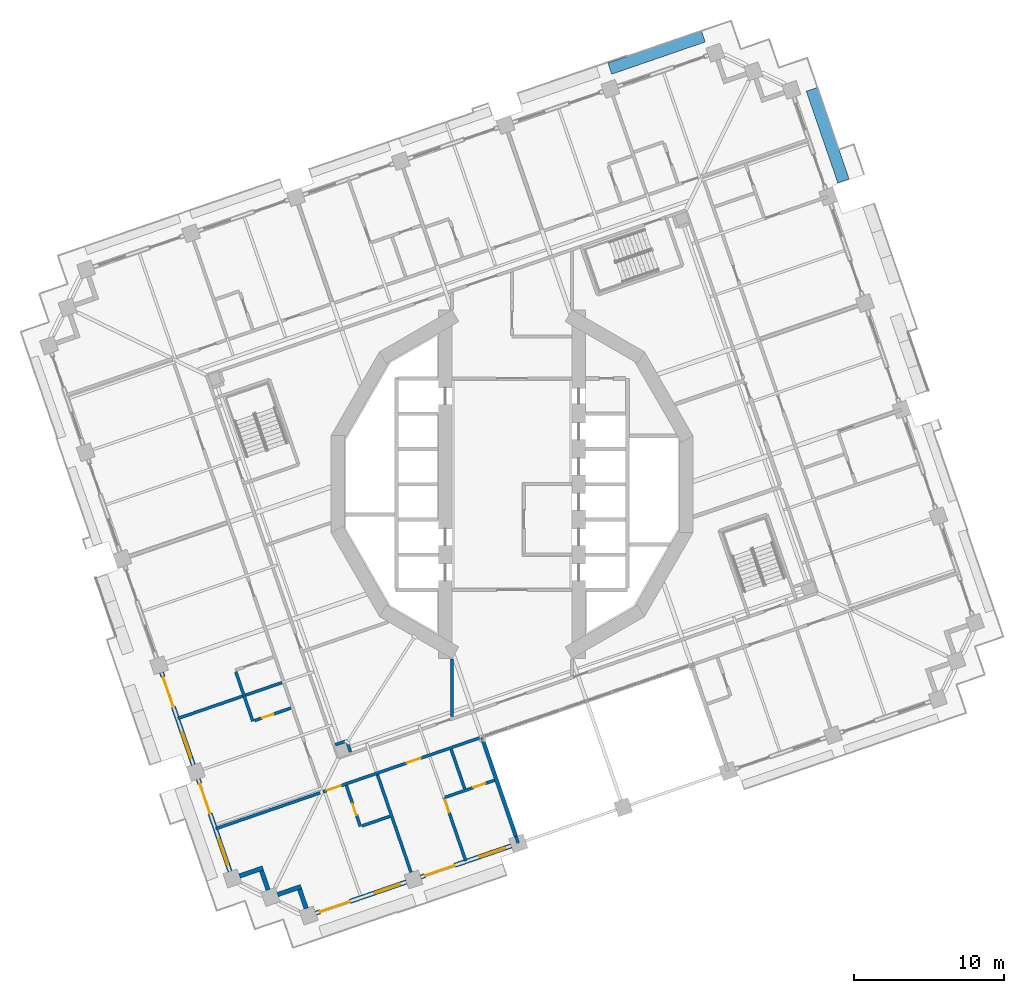
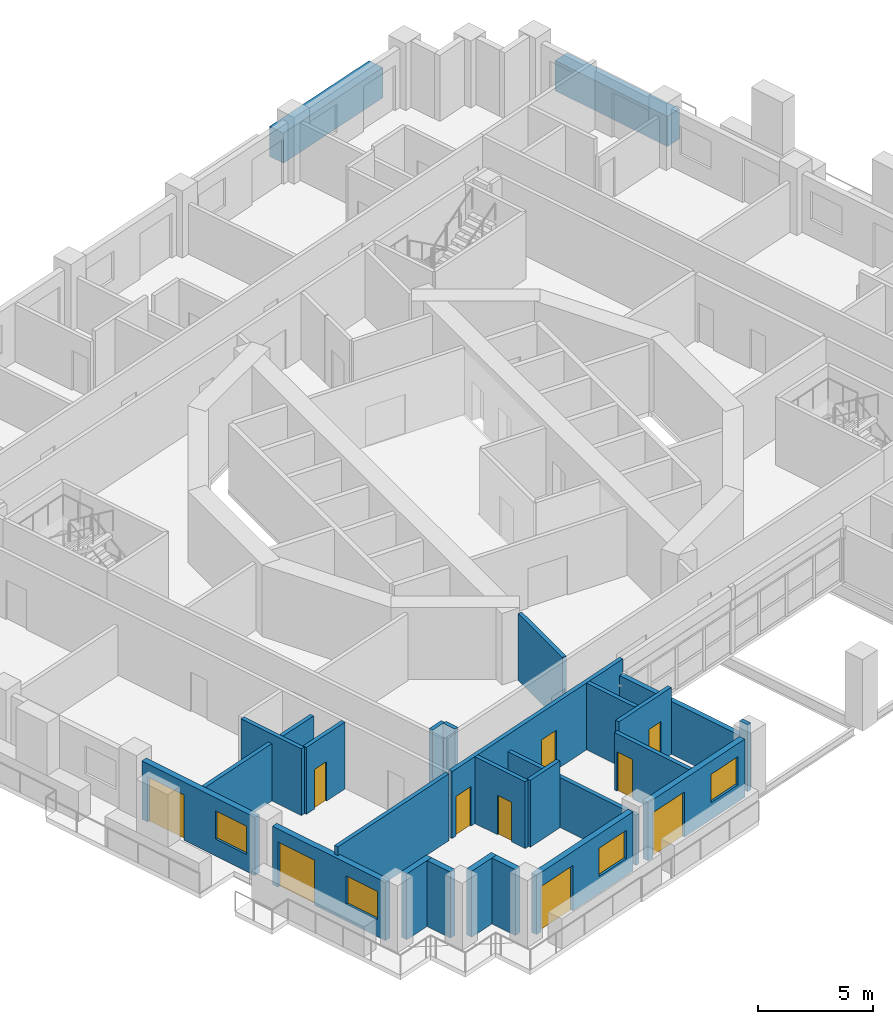
# One storey, part 8 of 22: 24 walls, 10 doors, 4 windows, 2 plates, 14 openings.
"""IFC4 building model written with IfcOpenShell, lengths in metres."""

from ifc_helpers import new_model, si_unit, direction, frame, frame_2d, origin, origin_2d, place, context, subcontext, project, spatial, rectangle, extrude, material, layer, layer_set, type_object, element, fill, save


model = new_model("IFC4")

# Units and contexts
model_context = context("Model", 3, precision=1e-05, world=origin(), true_north=direction((0.0, 1.0)))
body_context = subcontext(model_context, "Body", "Model", "MODEL_VIEW")
ifc_project = project(units=[si_unit("LENGTHUNIT", "METRE"), si_unit("AREAUNIT", "SQUARE_METRE"), si_unit("VOLUMEUNIT", "CUBIC_METRE"), si_unit("PLANEANGLEUNIT", "RADIAN"), si_unit("MASSUNIT", "GRAM", prefix="KILO")], contexts=[model_context])

# Site, building, storey
site_placement = place(None, origin())
site = spatial("IfcSite", under=ifc_project, at=site_placement, CompositionType="ELEMENT")
building_placement = place(site_placement, origin())
building = spatial("IfcBuilding", under=site, at=building_placement, Name="Cantera Rosa Tower", CompositionType="ELEMENT")
storey_placement = place(building_placement, frame((0.0, 0.0, 104.10009765625)))
storey = spatial("IfcBuildingStorey", under=building, at=storey_placement, Name="L20", CompositionType="ELEMENT", Elevation=104.10009765625)

# Plates
ifc_material_1 = material(Name="Cantera stone planter with soil", Category="masonry")
plate_type = type_object("IfcPlateType", Name="PLANTER 800", PredefinedType="USERDEFINED", material=ifc_material_1)
plate_1_placement = place(storey_placement, frame((21.064453125, 23.2919921875, -0.000244140625), z_axis=(0.0, 0.0, 1.0), x_axis=(-0.325568154457, 0.945518575599, 0.0)))
element("IfcPlate", 1, at=plate_1_placement, inside=storey, type_object=plate_type, Name="PLANTER L20-05", ObjectType="PLANTER", PredefinedType="USERDEFINED", context=body_context, shape_type="SweptSolid", body=[
    extrude(rectangle(XDim=6.469970703125, YDim=0.800048828125, at=origin_2d()), origin(), (0.0, 0.0, 1.0), 1.60009765625),
])
plate_2_placement = place(storey_placement, frame((9.64599609375, 28.81005859375, -0.000244140625), z_axis=(0.0, 0.0, 1.0), x_axis=(-0.945518575599, -0.325568154457, 0.0)))
element("IfcPlate", 2, at=plate_2_placement, inside=storey, type_object=plate_type, Name="PLANTER L20-06", ObjectType="PLANTER", PredefinedType="USERDEFINED", context=body_context, shape_type="SweptSolid", body=[
    extrude(rectangle(XDim=6.60009765625, YDim=0.800048828125, at=origin_2d()), origin(), (0.0, 0.0, 1.0), 1.60009765625),
])

# Wall, openings, doors
ifc_material_2 = material(Name="Gypsum board partition")
ifc_layer_1 = layer(ifc_material_2, 0.199951171875)
ifc_layer_set_1 = layer_set([ifc_layer_1], Name="CORRIDOR WALL 200 H3550")
wall_type_1 = type_object("IfcWallType", Name="CORRIDOR WALL 200 H3550", PredefinedType="PARTITIONING", material=ifc_layer_set_1)
wall_1_placement = place(storey_placement, frame((-12.60546875, -20.52197265625, 0.0), z_axis=(0.0, 0.0, 1.0), x_axis=(0.945519963328, 0.325564124172, 0.0)))
wall_1 = element("IfcWall", 3, at=wall_1_placement, inside=storey, type_object=wall_type_1, Name="CORRIDOR WALL L20-020", PredefinedType="PARTITIONING", context=body_context, shape_type="SweptSolid", body=[
    extrude(rectangle(XDim=11.324951171875, YDim=0.199951171875, at=frame_2d((5.66259765625, 0.0))), origin(), (0.0, 0.0, 1.0), 3.5498046875),
])
opening_1_placement = place(wall_1_placement, frame((5.89990234375, 0.0, 0.0)))
opening_1 = element("IfcOpeningElement", 4, at=opening_1_placement, cuts=wall_1, Name="Opening L20-041", PredefinedType="OPENING", context=body_context, shape_type="SweptSolid", body=[
    extrude(rectangle(XDim=1.0, YDim=2.10009765625, at=frame_2d((0.5, 1.050048828125))), frame((0.0, 0.10986328125, 0.0), z_axis=(0.0, -1.0, 0.0), x_axis=(1.0, 0.0, 0.0)), (0.0, 0.0, 1.0), 0.219970703125),
])
opening_2_placement = place(wall_1_placement, frame((0.25, 0.0, 0.0)))
opening_2 = element("IfcOpeningElement", 5, at=opening_2_placement, cuts=wall_1, Name="Opening L20-046", PredefinedType="OPENING", context=body_context, shape_type="SweptSolid", body=[
    extrude(rectangle(XDim=1.0, YDim=2.10009765625, at=frame_2d((0.5, 1.050048828125))), frame((0.0, 0.10986328125, 0.0), z_axis=(0.0, -1.0, 0.0), x_axis=(1.0, 0.0, 0.0)), (0.0, 0.0, 1.0), 0.219970703125),
])
ifc_material_3 = material(Name="Timber door leaf", Category="wood")
door_type_1 = type_object("IfcDoorType", Name="ENTRANCE DOOR 1000x2100", OperationType="NOTDEFINED", PredefinedType="DOOR", material=ifc_material_3)
door_1_placement = place(opening_1_placement, origin())
door_1 = element("IfcDoor", 6, at=door_1_placement, inside=storey, type_object=door_type_1, Name="DOOR L20-041", OperationType="NOTDEFINED", OverallHeight=2.10009765625, OverallWidth=1.0, PredefinedType="DOOR", context=body_context, shape_type="SweptSolid", body=[
    extrude(rectangle(XDim=1.0, YDim=2.10009765625, at=frame_2d((0.5, 1.050048828125))), frame((0.0, 0.02490234375, 0.0), z_axis=(0.0, -1.0, 0.0), x_axis=(1.0, 0.0, 0.0)), (0.0, 0.0, 1.0), 0.050048828125),
])
fill(opening_1, door_1)
door_2_placement = place(opening_2_placement, origin())
door_2 = element("IfcDoor", 7, at=door_2_placement, inside=storey, type_object=door_type_1, Name="DOOR L20-046", OperationType="NOTDEFINED", OverallHeight=2.10009765625, OverallWidth=1.0, PredefinedType="DOOR", context=body_context, shape_type="SweptSolid", body=[
    extrude(rectangle(XDim=1.0, YDim=2.10009765625, at=frame_2d((0.5, 1.050048828125))), frame((0.0, 0.02490234375, 0.0), z_axis=(0.0, -1.0, 0.0), x_axis=(1.0, 0.0, 0.0)), (0.0, 0.0, 1.0), 0.050048828125),
])
fill(opening_2, door_2)

# Walls
wall_2_placement = place(storey_placement, frame((-4.0, -11.667236328125, 0.0), z_axis=(0.0, 0.0, 1.0), x_axis=(0.0, -1.0, 0.0)))
element("IfcWall", 8, at=wall_2_placement, inside=storey, type_object=wall_type_1, Name="CORRIDOR WALL L20-048", PredefinedType="PARTITIONING", context=body_context, shape_type="SweptSolid", body=[
    extrude(rectangle(XDim=3.847900390625, YDim=0.199951171875, at=frame_2d((1.923828125, 0.0))), origin(), (0.0, 0.0, 1.0), 3.5498046875),
])
ifc_material_4 = material(Name="Hollow clay masonry with cantera stone cladding", Category="masonry")
ifc_layer_2 = layer(ifc_material_4, 0.300048828125)
ifc_layer_set_2 = layer_set([ifc_layer_2], Name="EW-LOGGIA 300")
wall_type_2 = type_object("IfcWallType", Name="EW-LOGGIA 300", PredefinedType="SOLIDWALL", material=ifc_layer_set_2)
wall_3_placement = place(storey_placement, frame((-18.17919921875, -26.142822265625, 0.0), z_axis=(0.0, 0.0, 1.0), x_axis=(0.945530119553, 0.32553462645, 0.0)))
element("IfcWall", 9, at=wall_3_placement, inside=storey, type_object=wall_type_2, Name="EN-L20-W21a", PredefinedType="SOLIDWALL", context=body_context, shape_type="SweptSolid", body=[
    extrude(rectangle(XDim=1.64990234375, YDim=0.300048828125, at=frame_2d((0.824951171875, 0.0))), origin(), (0.0, 0.0, 1.0), 3.5),
])
wall_4_placement = place(storey_placement, frame((-16.7119140625, -25.79638671875, 0.0), z_axis=(0.0, 0.0, 1.0), x_axis=(0.325544748006, -0.945526634763, 0.0)))
element("IfcWall", 10, at=wall_4_placement, inside=storey, type_object=wall_type_2, Name="EN-L20-W21b", PredefinedType="SOLIDWALL", context=body_context, shape_type="SweptSolid", body=[
    extrude(rectangle(XDim=1.349853515625, YDim=0.300048828125, at=frame_2d((0.6748046875, 0.0))), origin(), (0.0, 0.0, 1.0), 3.5),
])
wall_5_placement = place(storey_placement, frame((-15.636962890625, -27.3828125, 0.0), z_axis=(0.0, 0.0, 1.0), x_axis=(0.945484566827, 0.325666906351, 0.0)))
element("IfcWall", 11, at=wall_5_placement, inside=storey, type_object=wall_type_2, Name="EN-L20-W22a", PredefinedType="SOLIDWALL", context=body_context, shape_type="SweptSolid", body=[
    extrude(rectangle(XDim=1.64990234375, YDim=0.300048828125, at=frame_2d((0.824951171875, 0.0))), origin(), (0.0, 0.0, 1.0), 3.5),
])
wall_6_placement = place(storey_placement, frame((-14.169921875, -27.0361328125, 0.0), z_axis=(0.0, 0.0, 1.0), x_axis=(0.325650742363, -0.945490134268, 0.0)))
element("IfcWall", 12, at=wall_6_placement, inside=storey, type_object=wall_type_2, Name="EN-L20-W22b", PredefinedType="SOLIDWALL", context=body_context, shape_type="SweptSolid", body=[
    extrude(rectangle(XDim=1.35009765625, YDim=0.300048828125, at=frame_2d((0.675048828125, 0.0))), origin(), (0.0, 0.0, 1.0), 3.5),
])

# Wall, openings, window, door
ifc_material_5 = material(Name="Hollow clay masonry with cantera stone cladding", Category="masonry")
ifc_layer_3 = layer(ifc_material_5, 0.300048828125)
ifc_layer_set_3 = layer_set([ifc_layer_3], Name="EW-LOGGIA 300 H3090")
wall_type_3 = type_object("IfcWallType", Name="EW-LOGGIA 300 H3090", PredefinedType="SOLIDWALL", material=ifc_layer_set_3)
wall_7_placement = place(storey_placement, frame((-23.3857421875, -12.557861328125, 0.0), z_axis=(0.0, 0.0, 1.0), x_axis=(0.325580990241, -0.945514155787, 0.0)))
wall_7 = element("IfcWall", 13, at=wall_7_placement, inside=storey, type_object=wall_type_3, Name="EN-L20-W19", PredefinedType="SOLIDWALL", context=body_context, shape_type="SweptSolid", body=[
    extrude(rectangle(XDim=6.52001953125, YDim=0.300048828125, at=frame_2d((3.260009765625, 0.0))), origin(), (0.0, 0.0, 1.0), 3.08984375),
])
opening_3_placement = place(wall_7_placement, frame((0.330078125, 0.0, 0.0)))
opening_3 = element("IfcOpeningElement", 14, at=opening_3_placement, cuts=wall_7, Name="Opening L20-TD29", PredefinedType="OPENING", context=body_context, shape_type="SweptSolid", body=[
    extrude(rectangle(XDim=2.10009765625, YDim=2.39990234375, at=frame_2d((1.050048828125, 1.199951171875))), frame((0.0, 0.159912109375, 0.0), z_axis=(0.0, -1.0, 0.0), x_axis=(1.0, 0.0, 0.0)), (0.0, 0.0, 1.0), 0.320068359375),
])
opening_4_placement = place(wall_7_placement, frame((4.239990234375, 0.0, 0.89990234375)))
opening_4 = element("IfcOpeningElement", 15, at=opening_4_placement, cuts=wall_7, Name="Opening L20-W30", PredefinedType="OPENING", context=body_context, shape_type="SweptSolid", body=[
    extrude(rectangle(XDim=1.800048828125, YDim=1.5, at=frame_2d((0.89990234375, 0.75))), frame((0.0, 0.159912109375, 0.0), z_axis=(0.0, -1.0, 0.0), x_axis=(1.0, 0.0, 0.0)), (0.0, 0.0, 1.0), 0.320068359375),
])
ifc_material_6 = material(Name="Aluminium frame with clear glass", Category="aluminium")
window_type = type_object("IfcWindowType", Name="Hotel room window 1800x1500", PartitioningType="DOUBLE_PANEL_VERTICAL", PredefinedType="WINDOW", material=ifc_material_6)
window_1_placement = place(opening_4_placement, origin())
window_1 = element("IfcWindow", 16, at=window_1_placement, inside=storey, type_object=window_type, Name="WINDOW L20-W30", OverallHeight=1.5, OverallWidth=1.800048828125, PartitioningType="SINGLE_PANEL", PredefinedType="WINDOW", context=body_context, shape_type="SweptSolid", body=[
    extrude(rectangle(XDim=1.800048828125, YDim=1.5, at=frame_2d((0.89990234375, 0.75))), frame((0.0, 0.030029296875, 0.0), z_axis=(0.0, -1.0, 0.0), x_axis=(1.0, 0.0, 0.0)), (0.0, 0.0, 1.0), 0.06005859375),
])
fill(opening_4, window_1)
ifc_material_7 = material(Name="Aluminium frame with clear glass", Category="aluminium")
door_type_2 = type_object("IfcDoorType", Name="TD-H 2100x2400", OperationType="NOTDEFINED", PredefinedType="DOOR", material=ifc_material_7)
door_3_placement = place(opening_3_placement, origin())
door_3 = element("IfcDoor", 17, at=door_3_placement, inside=storey, type_object=door_type_2, Name="LOGGIA DOOR L20-TD29", OperationType="SLIDING_TO_LEFT", OverallHeight=2.39990234375, OverallWidth=2.10009765625, PredefinedType="DOOR", context=body_context, shape_type="SweptSolid", body=[
    extrude(rectangle(XDim=2.10009765625, YDim=2.39990234375, at=frame_2d((1.050048828125, 1.199951171875))), frame((0.0, 0.02490234375, 0.0), z_axis=(0.0, -1.0, 0.0), x_axis=(1.0, 0.0, 0.0)), (0.0, 0.0, 1.0), 0.050048828125),
])
fill(opening_3, door_3)

wall_8_placement = place(storey_placement, frame((-20.9375, -19.668212890625, 0.0), z_axis=(0.0, 0.0, 1.0), x_axis=(0.325592517631, -0.945510186335, 0.0)))
wall_8 = element("IfcWall", 18, at=wall_8_placement, inside=storey, type_object=wall_type_3, Name="EN-L20-W20", PredefinedType="SOLIDWALL", context=body_context, shape_type="SweptSolid", body=[
    extrude(rectangle(XDim=6.519775390625, YDim=0.300048828125, at=frame_2d((3.259765625, 0.0))), origin(), (0.0, 0.0, 1.0), 3.08984375),
])
opening_5_placement = place(wall_8_placement, frame((0.330078125, 0.0, 0.0)))
opening_5 = element("IfcOpeningElement", 19, at=opening_5_placement, cuts=wall_8, Name="Opening L20-TD31", PredefinedType="OPENING", context=body_context, shape_type="SweptSolid", body=[
    extrude(rectangle(XDim=2.10009765625, YDim=2.39990234375, at=frame_2d((1.050048828125, 1.199951171875))), frame((0.0, 0.159912109375, 0.0), z_axis=(0.0, -1.0, 0.0), x_axis=(1.0, 0.0, 0.0)), (0.0, 0.0, 1.0), 0.320068359375),
])
opening_6_placement = place(wall_8_placement, frame((4.239990234375, 0.0, 0.89990234375)))
opening_6 = element("IfcOpeningElement", 20, at=opening_6_placement, cuts=wall_8, Name="Opening L20-W32", PredefinedType="OPENING", context=body_context, shape_type="SweptSolid", body=[
    extrude(rectangle(XDim=1.800048828125, YDim=1.5, at=frame_2d((0.89990234375, 0.75))), frame((0.0, 0.159912109375, 0.0), z_axis=(0.0, -1.0, 0.0), x_axis=(1.0, 0.0, 0.0)), (0.0, 0.0, 1.0), 0.320068359375),
])
window_2_placement = place(opening_6_placement, origin())
window_2 = element("IfcWindow", 21, at=window_2_placement, inside=storey, type_object=window_type, Name="WINDOW L20-W32", OverallHeight=1.5, OverallWidth=1.800048828125, PartitioningType="SINGLE_PANEL", PredefinedType="WINDOW", context=body_context, shape_type="SweptSolid", body=[
    extrude(rectangle(XDim=1.800048828125, YDim=1.5, at=frame_2d((0.89990234375, 0.75))), frame((0.0, 0.030029296875, 0.0), z_axis=(0.0, -1.0, 0.0), x_axis=(1.0, 0.0, 0.0)), (0.0, 0.0, 1.0), 0.06005859375),
])
fill(opening_6, window_2)
door_4_placement = place(opening_5_placement, origin())
door_4 = element("IfcDoor", 22, at=door_4_placement, inside=storey, type_object=door_type_2, Name="LOGGIA DOOR L20-TD31", OperationType="SLIDING_TO_LEFT", OverallHeight=2.39990234375, OverallWidth=2.10009765625, PredefinedType="DOOR", context=body_context, shape_type="SweptSolid", body=[
    extrude(rectangle(XDim=2.10009765625, YDim=2.39990234375, at=frame_2d((1.050048828125, 1.199951171875))), frame((0.0, 0.02490234375, 0.0), z_axis=(0.0, -1.0, 0.0), x_axis=(1.0, 0.0, 0.0)), (0.0, 0.0, 1.0), 0.050048828125),
])
fill(opening_5, door_4)

wall_9_placement = place(storey_placement, frame((-6.097900390625, -26.21337890625, 0.0), z_axis=(0.0, 0.0, 1.0), x_axis=(0.945524496524, 0.325550958337, 0.0)))
wall_9 = element("IfcWall", 23, at=wall_9_placement, inside=storey, type_object=wall_type_3, Name="EN-L20-W24", PredefinedType="SOLIDWALL", context=body_context, shape_type="SweptSolid", body=[
    extrude(rectangle(XDim=6.39990234375, YDim=0.300048828125, at=frame_2d((3.199951171875, 0.0))), origin(), (0.0, 0.0, 1.0), 3.08984375),
])
opening_7_placement = place(wall_9_placement, frame((0.300048828125, 0.0, 0.0)))
opening_7 = element("IfcOpeningElement", 24, at=opening_7_placement, cuts=wall_9, Name="Opening L20-TD35", PredefinedType="OPENING", context=body_context, shape_type="SweptSolid", body=[
    extrude(rectangle(XDim=2.10009765625, YDim=2.39990234375, at=frame_2d((1.050048828125, 1.199951171875))), frame((0.0, 0.159912109375, 0.0), z_axis=(0.0, -1.0, 0.0), x_axis=(1.0, 0.0, 0.0)), (0.0, 0.0, 1.0), 0.320068359375),
])
opening_8_placement = place(wall_9_placement, frame((4.14990234375, 0.0, 0.89990234375)))
opening_8 = element("IfcOpeningElement", 25, at=opening_8_placement, cuts=wall_9, Name="Opening L20-W36", PredefinedType="OPENING", context=body_context, shape_type="SweptSolid", body=[
    extrude(rectangle(XDim=1.800048828125, YDim=1.5, at=frame_2d((0.89990234375, 0.75))), frame((0.0, 0.159912109375, 0.0), z_axis=(0.0, -1.0, 0.0), x_axis=(1.0, 0.0, 0.0)), (0.0, 0.0, 1.0), 0.320068359375),
])
window_3_placement = place(opening_8_placement, origin())
window_3 = element("IfcWindow", 26, at=window_3_placement, inside=storey, type_object=window_type, Name="WINDOW L20-W36", OverallHeight=1.5, OverallWidth=1.800048828125, PartitioningType="SINGLE_PANEL", PredefinedType="WINDOW", context=body_context, shape_type="SweptSolid", body=[
    extrude(rectangle(XDim=1.800048828125, YDim=1.5, at=frame_2d((0.89990234375, 0.75))), frame((0.0, 0.030029296875, 0.0), z_axis=(0.0, -1.0, 0.0), x_axis=(1.0, 0.0, 0.0)), (0.0, 0.0, 1.0), 0.06005859375),
])
fill(opening_8, window_3)
door_5_placement = place(opening_7_placement, origin())
door_5 = element("IfcDoor", 27, at=door_5_placement, inside=storey, type_object=door_type_2, Name="LOGGIA DOOR L20-TD35", OperationType="SLIDING_TO_LEFT", OverallHeight=2.39990234375, OverallWidth=2.10009765625, PredefinedType="DOOR", context=body_context, shape_type="SweptSolid", body=[
    extrude(rectangle(XDim=2.10009765625, YDim=2.39990234375, at=frame_2d((1.050048828125, 1.199951171875))), frame((0.0, 0.02490234375, 0.0), z_axis=(0.0, -1.0, 0.0), x_axis=(1.0, 0.0, 0.0)), (0.0, 0.0, 1.0), 0.050048828125),
])
fill(opening_7, door_5)

ifc_material_8 = material(Name="Hollow clay masonry with cantera stone cladding", Category="masonry")
ifc_layer_4 = layer(ifc_material_8, 0.300048828125)
ifc_layer_set_4 = layer_set([ifc_layer_4], Name="EW-LOGGIA 300 H3140")
wall_type_4 = type_object("IfcWallType", Name="EW-LOGGIA 300 H3140", PredefinedType="SOLIDWALL", material=ifc_layer_set_4)
wall_10_placement = place(storey_placement, frame((-13.0947265625, -28.62255859375, 0.0), z_axis=(0.0, 0.0, 1.0), x_axis=(0.945524496524, 0.325550958337, 0.0)))
wall_10 = element("IfcWall", 28, at=wall_10_placement, inside=storey, type_object=wall_type_4, Name="EN-L20-W23", PredefinedType="SOLIDWALL", context=body_context, shape_type="SweptSolid", body=[
    extrude(rectangle(XDim=6.39990234375, YDim=0.300048828125, at=frame_2d((3.199951171875, 0.0))), origin(), (0.0, 0.0, 1.0), 3.139892578125),
])
opening_9_placement = place(wall_10_placement, frame((0.300048828125, 0.0, 0.0)))
opening_9 = element("IfcOpeningElement", 29, at=opening_9_placement, cuts=wall_10, Name="Opening L20-TD33", PredefinedType="OPENING", context=body_context, shape_type="SweptSolid", body=[
    extrude(rectangle(XDim=2.10009765625, YDim=2.39990234375, at=frame_2d((1.050048828125, 1.199951171875))), frame((0.0, 0.159912109375, 0.0), z_axis=(0.0, -1.0, 0.0), x_axis=(1.0, 0.0, 0.0)), (0.0, 0.0, 1.0), 0.320068359375),
])
opening_10_placement = place(wall_10_placement, frame((4.14990234375, 0.0, 0.89990234375)))
opening_10 = element("IfcOpeningElement", 30, at=opening_10_placement, cuts=wall_10, Name="Opening L20-W34", PredefinedType="OPENING", context=body_context, shape_type="SweptSolid", body=[
    extrude(rectangle(XDim=1.800048828125, YDim=1.5, at=frame_2d((0.89990234375, 0.75))), frame((0.0, 0.159912109375, 0.0), z_axis=(0.0, -1.0, 0.0), x_axis=(1.0, 0.0, 0.0)), (0.0, 0.0, 1.0), 0.320068359375),
])
window_4_placement = place(opening_10_placement, origin())
window_4 = element("IfcWindow", 31, at=window_4_placement, inside=storey, type_object=window_type, Name="WINDOW L20-W34", OverallHeight=1.5, OverallWidth=1.800048828125, PartitioningType="SINGLE_PANEL", PredefinedType="WINDOW", context=body_context, shape_type="SweptSolid", body=[
    extrude(rectangle(XDim=1.800048828125, YDim=1.5, at=frame_2d((0.89990234375, 0.75))), frame((0.0, 0.030029296875, 0.0), z_axis=(0.0, -1.0, 0.0), x_axis=(1.0, 0.0, 0.0)), (0.0, 0.0, 1.0), 0.06005859375),
])
fill(opening_10, window_4)
door_6_placement = place(opening_9_placement, origin())
door_6 = element("IfcDoor", 32, at=door_6_placement, inside=storey, type_object=door_type_2, Name="LOGGIA DOOR L20-TD33", OperationType="SLIDING_TO_LEFT", OverallHeight=2.39990234375, OverallWidth=2.10009765625, PredefinedType="DOOR", context=body_context, shape_type="SweptSolid", body=[
    extrude(rectangle(XDim=2.10009765625, YDim=2.39990234375, at=frame_2d((1.050048828125, 1.199951171875))), frame((0.0, 0.02490234375, 0.0), z_axis=(0.0, -1.0, 0.0), x_axis=(1.0, 0.0, 0.0)), (0.0, 0.0, 1.0), 0.050048828125),
])
fill(opening_9, door_6)

# Wall
ifc_material_9 = material(Name="Concrete C40/50", Category="concrete")
ifc_layer_5 = layer(ifc_material_9, 0.25)
ifc_layer_set_5 = layer_set([ifc_layer_5], Name="EW-POCKET CHEEK 250 H2795")
wall_type_5 = type_object("IfcWallType", Name="EW-POCKET CHEEK 250 H2795", PredefinedType="SOLIDWALL", material=ifc_layer_set_5)
wall_11_placement = place(storey_placement, frame((0.263427734375, -23.494384765625, 0.0), z_axis=(0.0, 0.0, 1.0), x_axis=(-0.325585020105, 0.945512768123, 0.0)))
element("IfcWall", 33, at=wall_11_placement, inside=storey, type_object=wall_type_5, Name="POCKET CHEEK A L20", PredefinedType="SOLIDWALL", context=body_context, shape_type="SweptSolid", body=[
    extrude(rectangle(XDim=6.900146484375, YDim=0.25, at=frame_2d((3.4501953125, 0.0))), origin(), (0.0, 0.0, 1.0), 2.794921875),
])

# Wall, opening, door
ifc_material_10 = material(Name="Gypsum board partition")
ifc_layer_6 = layer(ifc_material_10, 0.199951171875)
ifc_layer_set_6 = layer_set([ifc_layer_6], Name="PARTITION 200 H3050")
wall_type_6 = type_object("IfcWallType", Name="PARTITION 200 H3050", PredefinedType="PARTITIONING", material=ifc_layer_set_6)
wall_12_placement = place(storey_placement, frame((-3.08203125, -25.143310546875, 0.0), z_axis=(0.0, 0.0, 1.0), x_axis=(-0.325568171973, 0.945518569568, 0.0)))
wall_12 = element("IfcWall", 34, at=wall_12_placement, inside=storey, type_object=wall_type_6, Name="PARTITION L20-052", PredefinedType="PARTITIONING", context=body_context, shape_type="SweptSolid", body=[
    extrude(rectangle(XDim=4.47021484375, YDim=0.199951171875, at=frame_2d((2.235107421875, 0.0))), origin(), (0.0, 0.0, 1.0), 3.0498046875),
])
opening_11_placement = place(wall_12_placement, frame((3.419921875, 0.0, 0.0)))
opening_11 = element("IfcOpeningElement", 35, at=opening_11_placement, cuts=wall_12, Name="Opening L20-042", PredefinedType="OPENING", context=body_context, shape_type="SweptSolid", body=[
    extrude(rectangle(XDim=0.89990234375, YDim=2.10009765625, at=frame_2d((0.449951171875, 1.050048828125))), frame((0.0, 0.10986328125, 0.0), z_axis=(0.0, -1.0, 0.0), x_axis=(1.0, 0.0, 0.0)), (0.0, 0.0, 1.0), 0.219970703125),
])
ifc_material_11 = material(Name="Timber door leaf", Category="wood")
door_type_3 = type_object("IfcDoorType", Name="ROOM DOOR 900x2100", OperationType="NOTDEFINED", PredefinedType="DOOR", material=ifc_material_11)
door_7_placement = place(opening_11_placement, origin())
door_7 = element("IfcDoor", 36, at=door_7_placement, inside=storey, type_object=door_type_3, Name="DOOR L20-042", OperationType="NOTDEFINED", OverallHeight=2.10009765625, OverallWidth=0.89990234375, PredefinedType="DOOR", context=body_context, shape_type="SweptSolid", body=[
    extrude(rectangle(XDim=0.89990234375, YDim=2.10009765625, at=frame_2d((0.449951171875, 1.050048828125))), frame((0.0, 0.02490234375, 0.0), z_axis=(0.0, -1.0, 0.0), x_axis=(1.0, 0.0, 0.0)), (0.0, 0.0, 1.0), 0.050048828125),
])
fill(opening_11, door_7)

# Wall
ifc_material_12 = material(Name="Gypsum board partition")
ifc_layer_7 = layer(ifc_material_12, 0.199951171875)
ifc_layer_set_7 = layer_set([ifc_layer_7], Name="PARTITION 200 H3550")
wall_type_7 = type_object("IfcWallType", Name="PARTITION 200 H3550", PredefinedType="PARTITIONING", material=ifc_layer_set_7)
wall_13_placement = place(storey_placement, frame((-17.29443359375, -15.81201171875, 0.0), z_axis=(0.0, 0.0, 1.0), x_axis=(-0.325514995811, 0.945536877918, 0.0)))
element("IfcWall", 37, at=wall_13_placement, inside=storey, type_object=wall_type_7, Name="PARTITION L20-015", PredefinedType="PARTITIONING", context=body_context, shape_type="SweptSolid", body=[
    extrude(rectangle(XDim=3.47998046875, YDim=0.199951171875, at=frame_2d((1.739990234375, 0.0))), origin(), (0.0, 0.0, 1.0), 3.5498046875),
])

# Wall, opening, door
wall_14_placement = place(storey_placement, frame((-14.760498046875, -14.939453125, 0.0), z_axis=(0.0, 0.0, 1.0), x_axis=(-0.9455087096, -0.325596805989, 0.0)))
wall_14 = element("IfcWall", 38, at=wall_14_placement, inside=storey, type_object=wall_type_7, Name="PARTITION L20-018", PredefinedType="PARTITIONING", context=body_context, shape_type="SweptSolid", body=[
    extrude(rectangle(XDim=2.559814453125, YDim=0.199951171875, at=frame_2d((1.27978515625, 0.0))), origin(), (0.0, 0.0, 1.0), 3.5498046875),
])
opening_12_placement = place(wall_14_placement, frame((1.216064453125, 0.0, 0.0)))
opening_12 = element("IfcOpeningElement", 39, at=opening_12_placement, cuts=wall_14, Name="Opening L20-040", PredefinedType="OPENING", context=body_context, shape_type="SweptSolid", body=[
    extrude(rectangle(XDim=0.800048828125, YDim=2.10009765625, at=frame_2d((0.39990234375, 1.050048828125))), frame((0.0, 0.10986328125, 0.0), z_axis=(0.0, -1.0, 0.0), x_axis=(1.0, 0.0, 0.0)), (0.0, 0.0, 1.0), 0.219970703125),
])
ifc_material_13 = material(Name="Timber door leaf", Category="wood")
door_type_4 = type_object("IfcDoorType", Name="BATHROOM DOOR 800x2100", OperationType="NOTDEFINED", PredefinedType="DOOR", material=ifc_material_13)
door_8_placement = place(opening_12_placement, origin())
door_8 = element("IfcDoor", 40, at=door_8_placement, inside=storey, type_object=door_type_4, Name="DOOR L20-040", OperationType="NOTDEFINED", OverallHeight=2.10009765625, OverallWidth=0.800048828125, PredefinedType="DOOR", context=body_context, shape_type="SweptSolid", body=[
    extrude(rectangle(XDim=0.800048828125, YDim=2.10009765625, at=frame_2d((0.39990234375, 1.050048828125))), frame((0.0, 0.02490234375, 0.0), z_axis=(0.0, -1.0, 0.0), x_axis=(1.0, 0.0, 0.0)), (0.0, 0.0, 1.0), 0.050048828125),
])
fill(opening_12, door_8)

# Walls
wall_15_placement = place(storey_placement, frame((-11.026123046875, -17.12255859375, 0.0), z_axis=(0.0, 0.0, 1.0), x_axis=(-0.945525269499, -0.325548713312, 0.0)))
element("IfcWall", 41, at=wall_15_placement, inside=storey, type_object=wall_type_7, Name="PARTITION L20-027", PredefinedType="PARTITIONING", context=body_context, shape_type="SweptSolid", body=[
    extrude(rectangle(XDim=0.80029296875, YDim=0.199951171875, at=frame_2d((0.400146484375, 0.0))), origin(), (0.0, 0.0, 1.0), 3.5498046875),
])
wall_16_placement = place(storey_placement, frame((-10.772216796875, -17.860107421875, 0.0), z_axis=(0.0, 0.0, 1.0), x_axis=(-0.325691873105, 0.945475966798, 0.0)))
element("IfcWall", 42, at=wall_16_placement, inside=storey, type_object=wall_type_7, Name="PARTITION L20-028", PredefinedType="PARTITIONING", context=body_context, shape_type="SweptSolid", body=[
    extrude(rectangle(XDim=0.679931640625, YDim=0.199951171875, at=frame_2d((0.33984375, 0.0))), origin(), (0.0, 0.0, 1.0), 3.5498046875),
])

# Wall, opening, door
wall_17_placement = place(storey_placement, frame((-10.115966796875, -22.837646484375, 0.0), z_axis=(0.0, 0.0, 1.0), x_axis=(-0.325557359554, 0.945522292514, 0.0)))
wall_17 = element("IfcWall", 43, at=wall_17_placement, inside=storey, type_object=wall_type_7, Name="PARTITION L20-029", PredefinedType="PARTITIONING", context=body_context, shape_type="SweptSolid", body=[
    extrude(rectangle(XDim=2.89990234375, YDim=0.199951171875, at=frame_2d((1.449951171875, 0.0))), origin(), (0.0, 0.0, 1.0), 3.5498046875),
])
opening_13_placement = place(wall_17_placement, frame((0.800048828125, 0.0, 0.0)))
opening_13 = element("IfcOpeningElement", 44, at=opening_13_placement, cuts=wall_17, Name="Opening L20-047", PredefinedType="OPENING", context=body_context, shape_type="SweptSolid", body=[
    extrude(rectangle(XDim=0.800048828125, YDim=2.10009765625, at=frame_2d((0.39990234375, 1.050048828125))), frame((0.0, 0.10986328125, 0.0), z_axis=(0.0, -1.0, 0.0), x_axis=(1.0, 0.0, 0.0)), (0.0, 0.0, 1.0), 0.219970703125),
])
door_9_placement = place(opening_13_placement, origin())
door_9 = element("IfcDoor", 45, at=door_9_placement, inside=storey, type_object=door_type_4, Name="DOOR L20-047", OperationType="NOTDEFINED", OverallHeight=2.10009765625, OverallWidth=0.800048828125, PredefinedType="DOOR", context=body_context, shape_type="SweptSolid", body=[
    extrude(rectangle(XDim=0.800048828125, YDim=2.10009765625, at=frame_2d((0.39990234375, 1.050048828125))), frame((0.0, 0.02490234375, 0.0), z_axis=(0.0, -1.0, 0.0), x_axis=(1.0, 0.0, 0.0)), (0.0, 0.0, 1.0), 0.050048828125),
])
fill(opening_13, door_9)

# Wall
wall_18_placement = place(storey_placement, frame((-8.149169921875, -22.160400390625, 0.0), z_axis=(0.0, 0.0, 1.0), x_axis=(-0.945510558394, -0.325591437181, 0.0)))
element("IfcWall", 46, at=wall_18_placement, inside=storey, type_object=wall_type_7, Name="PARTITION L20-032", PredefinedType="PARTITIONING", context=body_context, shape_type="SweptSolid", body=[
    extrude(rectangle(XDim=1.9599609375, YDim=0.199951171875, at=frame_2d((0.97998046875, 0.0))), origin(), (0.0, 0.0, 1.0), 3.5498046875),
])

# Wall, opening, door
wall_19_placement = place(storey_placement, frame((-4.44287109375, -20.88427734375, 0.0), z_axis=(0.0, 0.0, 1.0), x_axis=(0.945515898571, 0.325575929009, 0.0)))
wall_19 = element("IfcWall", 47, at=wall_19_placement, inside=storey, type_object=wall_type_7, Name="PARTITION L20-046", PredefinedType="PARTITIONING", context=body_context, shape_type="SweptSolid", body=[
    extrude(rectangle(XDim=3.465087890625, YDim=0.199951171875, at=frame_2d((1.732421875, 0.0))), origin(), (0.0, 0.0, 1.0), 3.5498046875),
])
opening_14_placement = place(wall_19_placement, frame((1.989990234375, 0.0, 0.0)))
opening_14 = element("IfcOpeningElement", 48, at=opening_14_placement, cuts=wall_19, Name="Opening L20-043", PredefinedType="OPENING", context=body_context, shape_type="SweptSolid", body=[
    extrude(rectangle(XDim=0.800048828125, YDim=2.10009765625, at=frame_2d((0.39990234375, 1.050048828125))), frame((0.0, 0.10986328125, 0.0), z_axis=(0.0, -1.0, 0.0), x_axis=(1.0, 0.0, 0.0)), (0.0, 0.0, 1.0), 0.219970703125),
])
door_10_placement = place(opening_14_placement, origin())
door_10 = element("IfcDoor", 49, at=door_10_placement, inside=storey, type_object=door_type_4, Name="DOOR L20-043", OperationType="NOTDEFINED", OverallHeight=2.10009765625, OverallWidth=0.800048828125, PredefinedType="DOOR", context=body_context, shape_type="SweptSolid", body=[
    extrude(rectangle(XDim=0.800048828125, YDim=2.10009765625, at=frame_2d((0.39990234375, 1.050048828125))), frame((0.0, 0.02490234375, 0.0), z_axis=(0.0, -1.0, 0.0), x_axis=(1.0, 0.0, 0.0)), (0.0, 0.0, 1.0), 0.050048828125),
])
fill(opening_14, door_10)

# Walls
wall_20_placement = place(storey_placement, frame((-3.158203125, -20.31494140625, 0.0), z_axis=(0.0, 0.0, 1.0), x_axis=(-0.325538681008, 0.945528723608, 0.0)))
element("IfcWall", 50, at=wall_20_placement, inside=storey, type_object=wall_type_7, Name="PARTITION L20-051", PredefinedType="PARTITIONING", context=body_context, shape_type="SweptSolid", body=[
    extrude(rectangle(XDim=2.780029296875, YDim=0.199951171875, at=frame_2d((1.39013671875, 0.0))), origin(), (0.0, 0.0, 1.0), 3.5498046875),
])
wall_21_placement = place(storey_placement, frame((0.26318359375, -23.494384765625, 0.0), z_axis=(0.0, 0.0, 1.0), x_axis=(0.325718504865, -0.94546679243, 0.0)))
element("IfcWall", 51, at=wall_21_placement, inside=storey, type_object=wall_type_7, Name="PARTITION L20-053", PredefinedType="PARTITIONING", context=body_context, shape_type="SweptSolid", body=[
    extrude(rectangle(XDim=0.469970703125, YDim=0.199951171875, at=frame_2d((0.23486328125, 0.0))), origin(), (0.0, 0.0, 1.0), 3.5498046875),
])
ifc_material_14 = material(Name="Gypsum board partition")
ifc_layer_8 = layer(ifc_material_14, 0.199951171875)
ifc_layer_set_8 = layer_set([ifc_layer_8], Name="PARTY WALL 200 H2650")
wall_type_8 = type_object("IfcWallType", Name="PARTY WALL 200 H2650", PredefinedType="PARTITIONING", material=ifc_layer_set_8)
wall_22_placement = place(storey_placement, frame((-6.58056640625, -26.347900390625, 0.0), z_axis=(0.0, 0.0, 1.0), x_axis=(-0.325563917555, 0.945520034471, 0.0)))
element("IfcWall", 52, at=wall_22_placement, inside=storey, type_object=wall_type_8, Name="PARTY WALL L20-041", PredefinedType="PARTITIONING", context=body_context, shape_type="SweptSolid", body=[
    extrude(rectangle(XDim=7.3701171875, YDim=0.199951171875, at=frame_2d((3.68505859375, 0.0))), origin(), (0.0, 0.0, 1.0), 2.64990234375),
])
ifc_material_15 = material(Name="Gypsum board partition")
ifc_layer_9 = layer(ifc_material_15, 0.199951171875)
ifc_layer_set_9 = layer_set([ifc_layer_9], Name="PARTY WALL 200 H3050")
wall_type_9 = type_object("IfcWallType", Name="PARTY WALL 200 H3050", PredefinedType="PARTITIONING", material=ifc_layer_set_9)
wall_23_placement = place(storey_placement, frame((-15.346435546875, -13.237548828125, 0.0), z_axis=(0.0, 0.0, 1.0), x_axis=(-0.945521494984, -0.325559675824, 0.0)))
element("IfcWall", 53, at=wall_23_placement, inside=storey, type_object=wall_type_9, Name="PARTY WALL L20-017", PredefinedType="PARTITIONING", context=body_context, shape_type="SweptSolid", body=[
    extrude(rectangle(XDim=7.349853515625, YDim=0.199951171875, at=frame_2d((3.6748046875, 0.0))), origin(), (0.0, 0.0, 1.0), 3.0498046875),
])
ifc_material_16 = material(Name="Gypsum board partition")
ifc_layer_10 = layer(ifc_material_16, 0.199951171875)
ifc_layer_set_10 = layer_set([ifc_layer_10], Name="PARTY WALL 200 H3550")
wall_type_10 = type_object("IfcWallType", Name="PARTY WALL 200 H3550", PredefinedType="PARTITIONING", material=ifc_layer_set_10)
wall_24_placement = place(storey_placement, frame((-19.762939453125, -22.986572265625, 0.0), z_axis=(0.0, 0.0, 1.0), x_axis=(0.945511269654, 0.32558937169, 0.0)))
element("IfcWall", 54, at=wall_24_placement, inside=storey, type_object=wall_type_10, Name="PARTY WALL L20-007", PredefinedType="PARTITIONING", context=body_context, shape_type="SweptSolid", body=[
    extrude(rectangle(XDim=7.349853515625, YDim=0.199951171875, at=frame_2d((3.6748046875, 0.0))), origin(), (0.0, 0.0, 1.0), 3.5498046875),
])

save(model, "model.ifc")
